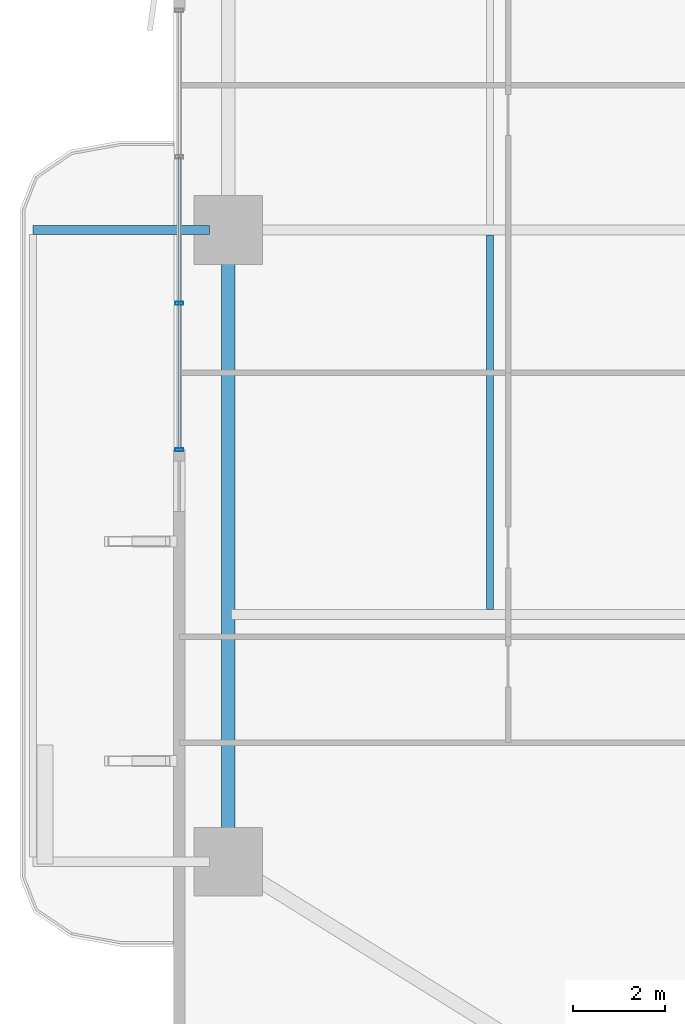
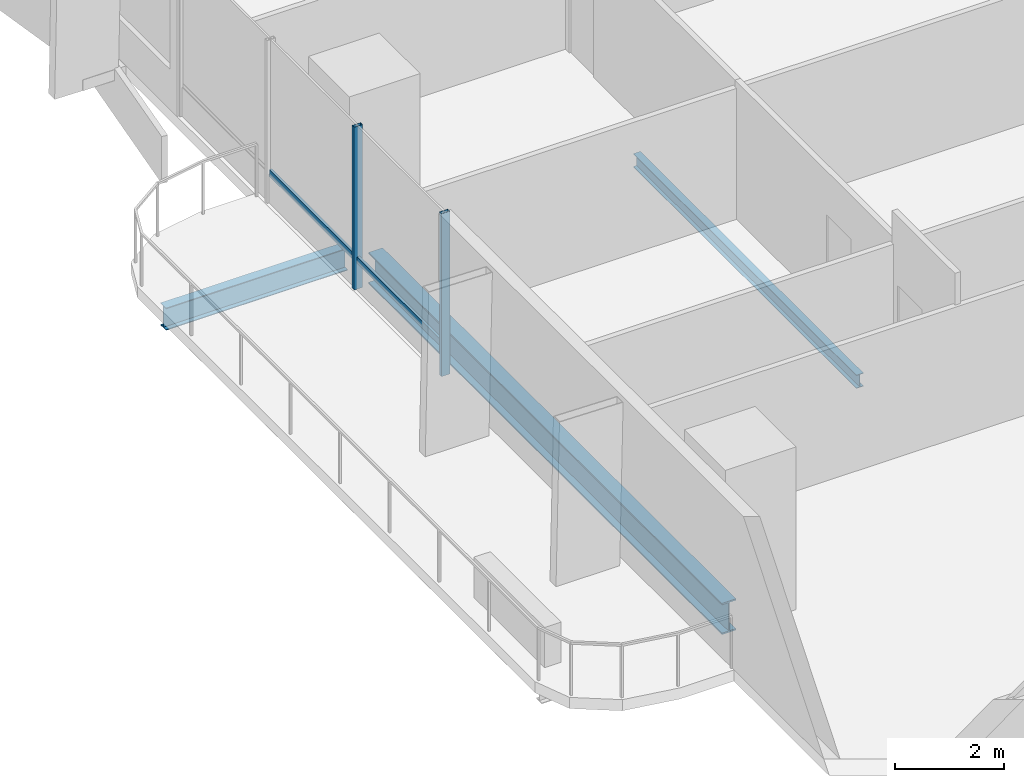
# One storey, part 4 of 24: 4 members, 3 beams, 1 element without a shape of its own.
"""IFC4 building model written with IfcOpenShell, lengths in metres."""

from ifc_helpers import new_model, si_unit, direction, frame, origin, origin_2d, place, context, subcontext, project, spatial, hollow_rectangle, i_section, extrude, material, layer, layer_set, material_profile, profile_set, type_object, element, aggregate, save


model = new_model("IFC4")

# Units and contexts
model_context = context("Model", 3, precision=1e-05, world=origin(), true_north=direction((0.0, 1.0)))
body_context = subcontext(model_context, "Body", "Model", "MODEL_VIEW")
ifc_project = project(units=[si_unit("LENGTHUNIT", "METRE"), si_unit("AREAUNIT", "SQUARE_METRE"), si_unit("VOLUMEUNIT", "CUBIC_METRE"), si_unit("PLANEANGLEUNIT", "RADIAN"), si_unit("MASSUNIT", "GRAM", prefix="KILO")], contexts=[model_context])

# Site, building, storey
site_placement = place(None, origin())
site = spatial("IfcSite", under=ifc_project, at=site_placement, CompositionType="ELEMENT")
building_placement = place(site_placement, origin())
building = spatial("IfcBuilding", under=site, at=building_placement, Name="Belovzor Exchange Tower", CompositionType="ELEMENT")
storey_placement = place(building_placement, frame((0.0, 0.0, 80.699951171875)))
storey = spatial("IfcBuildingStorey", under=building, at=storey_placement, Name="L19", CompositionType="ELEMENT", Elevation=80.699951171875)

# Beams
ifc_material_1 = material(Name="Steel S355", Category="steel")
ifc_material_profile_1 = material_profile(ifc_material_1, i_section(OverallWidth=0.199951171875, OverallDepth=0.5, WebThickness=0.01025390625, FlangeThickness=0.01611328125, at=origin_2d()))
ifc_profile_set_1 = profile_set([ifc_material_profile_1], Name="Steel S355")
beam_type_1 = type_object("IfcBeamType", Name="Planted Balcony Cantilever Beam IPE 500", PredefinedType="BEAM", material=ifc_profile_set_1)
beam_1_placement = place(storey_placement, frame((1.68798828125, 28.800048828125, -0.5), z_axis=(-1.0, 0.0, 0.0), x_axis=(0.0, -1.0, 0.0)))
element("IfcBeam", 1, at=beam_1_placement, inside=storey, type_object=beam_type_1, Name="BC-500 Planted Balcony Cantilever Beam IPE 500", PredefinedType="BEAM", context=body_context, shape_type="SweptSolid", body=[
    extrude(i_section(OverallWidth=0.199951171875, OverallDepth=0.5, WebThickness=0.01025390625, FlangeThickness=0.01611328125, at=origin_2d()), origin(), (0.0, 0.0, 1.0), 3.85009765625),
])
ifc_material_2 = material(Name="Steel S355", Category="steel")
ifc_material_profile_2 = material_profile(ifc_material_2, i_section(OverallWidth=0.14990234375, OverallDepth=0.300048828125, WebThickness=0.007080078125, FlangeThickness=0.0107421875, at=origin_2d()))
ifc_profile_set_2 = profile_set([ifc_material_profile_2], Name="Steel S355")
beam_type_2 = type_object("IfcBeamType", Name="Secondary Trim Floor Joist IPE 300", PredefinedType="BEAM", material=ifc_profile_set_2)
beam_2_placement = place(storey_placement, frame((7.81494140625, 20.5048828125, -0.39990234375), z_axis=(0.0, 1.0, 0.0), x_axis=(-1.0, 0.0, 0.0)))
element("IfcBeam", 2, at=beam_2_placement, inside=storey, type_object=beam_type_2, Name="FJ-300 Secondary Trim Floor Joist IPE 300", PredefinedType="BEAM", context=body_context, shape_type="SweptSolid", body=[
    extrude(i_section(OverallWidth=0.14990234375, OverallDepth=0.300048828125, WebThickness=0.007080078125, FlangeThickness=0.0107421875, at=origin_2d()), origin(), (0.0, 0.0, 1.0), 8.190185546875),
])

# Curtain wall, members
ifc_material_3 = material(Name="Anodised Aluminium Framing", Category="aluminium")
ifc_layer = layer(ifc_material_3, 0.179931640625)
ifc_layer_set = layer_set([ifc_layer], Name="Anodised Aluminium Framing")
curtain_wall_type = type_object("IfcCurtainWallType", Name="Recessed Loggia Low-Iron Triple-Glazed Curtain Wall", PredefinedType="NOTDEFINED", material=ifc_layer_set)
curtain_wall_placement = place(storey_placement, origin())
curtain_wall = element("IfcCurtainWall", 3, at=curtain_wall_placement, inside=storey, type_object=curtain_wall_type, Name="CW3 Recessed Loggia Low-Iron Triple-Glazed Curtain Wall L19", PredefinedType="NOTDEFINED")
ifc_material_4 = material(Name="Steel S355", Category="steel")
ifc_material_profile_3 = material_profile(ifc_material_4, hollow_rectangle(XDim=0.074951171875, YDim=0.179931640625, WallThickness=0.0048828125, at=origin_2d()))
ifc_profile_set_3 = profile_set([ifc_material_profile_3], Name="Steel S355")
member_type_1 = type_object("IfcMemberType", Name="Thermally Broken Curtain Wall Mullion 180x75", PredefinedType="MULLION", material=ifc_profile_set_3)
member_1_placement = place(storey_placement, frame((1.030029296875, 24.0, 0.0), z_axis=(0.0, 0.0, 1.0), x_axis=(0.0, 1.0, 0.0)))
member_1 = element("IfcMember", 4, at=member_1_placement, type_object=member_type_1, Name="CW-M180 Curtain Wall Mullion 1", PredefinedType="MULLION", context=body_context, shape_type="SweptSolid", body=[
    extrude(hollow_rectangle(XDim=0.074951171875, YDim=0.179931640625, WallThickness=0.0048828125, at=origin_2d()), origin(), (0.0, 0.0, 1.0), 3.650146484375),
])
member_2_placement = place(storey_placement, frame((1.030029296875, 27.199951171875, 0.0), z_axis=(0.0, 0.0, 1.0), x_axis=(0.0, 1.0, 0.0)))
member_2 = element("IfcMember", 5, at=member_2_placement, type_object=member_type_1, Name="CW-M180 Curtain Wall Mullion 2", PredefinedType="MULLION", context=body_context, shape_type="SweptSolid", body=[
    extrude(hollow_rectangle(XDim=0.074951171875, YDim=0.179931640625, WallThickness=0.0048828125, at=origin_2d()), origin(), (0.0, 0.0, 1.0), 3.650146484375),
])
ifc_material_5 = material(Name="Steel S355", Category="steel")
ifc_material_profile_4 = material_profile(ifc_material_5, hollow_rectangle(XDim=0.06005859375, YDim=0.14990234375, WallThickness=0.00390625, at=origin_2d()))
ifc_profile_set_4 = profile_set([ifc_material_profile_4], Name="Steel S355")
member_type_2 = type_object("IfcMemberType", Name="Thermally Broken Curtain Wall Transom 150x60", PredefinedType="USERDEFINED", material=ifc_profile_set_4)
member_3_placement = place(storey_placement, frame((1.030029296875, 24.008056640625, 0.650146484375), z_axis=(0.0, 1.0, 0.0), x_axis=(-1.0, 0.0, 0.0)))
member_3 = element("IfcMember", 6, at=member_3_placement, type_object=member_type_2, Name="CW-T150 Curtain Wall Transom 1", ObjectType="TRANSOM", PredefinedType="USERDEFINED", context=body_context, shape_type="SweptSolid", body=[
    extrude(hollow_rectangle(XDim=0.06005859375, YDim=0.14990234375, WallThickness=0.00390625, at=origin_2d()), origin(), (0.0, 0.0, 1.0), 3.183837890625),
])
member_4_placement = place(storey_placement, frame((1.030029296875, 27.2080078125, 0.650146484375), z_axis=(0.0, 1.0, 0.0), x_axis=(-1.0, 0.0, 0.0)))
member_4 = element("IfcMember", 7, at=member_4_placement, type_object=member_type_2, Name="CW-T150 Curtain Wall Transom 2", ObjectType="TRANSOM", PredefinedType="USERDEFINED", context=body_context, shape_type="SweptSolid", body=[
    extrude(hollow_rectangle(XDim=0.06005859375, YDim=0.14990234375, WallThickness=0.00390625, at=origin_2d()), origin(), (0.0, 0.0, 1.0), 3.18408203125),
])
aggregate(curtain_wall, [member_1, member_2, member_3, member_4])

# Beam
ifc_material_6 = material(Name="Steel S355", Category="steel")
ifc_material_profile_5 = material_profile(ifc_material_6, i_section(OverallWidth=0.300048828125, OverallDepth=0.699951171875, WebThickness=0.01708984375, FlangeThickness=0.031982421875, at=origin_2d()))
ifc_profile_set_5 = profile_set([ifc_material_profile_5], Name="Steel S355")
beam_type_3 = type_object("IfcBeamType", Name="Zone 1 Primary Perimeter Girder HEB 700", PredefinedType="BEAM", material=ifc_profile_set_5)
beam_3_placement = place(storey_placement, frame((2.10009765625, 28.386962890625, -0.599853515625), z_axis=(0.0, -1.0, 0.0), x_axis=(1.0, 0.0, 0.0)))
element("IfcBeam", 8, at=beam_3_placement, inside=storey, type_object=beam_type_3, Name="FG-Z1 Zone 1 Primary Perimeter Girder HEB 700", PredefinedType="BEAM", context=body_context, shape_type="SweptSolid", body=[
    extrude(i_section(OverallWidth=0.300048828125, OverallDepth=0.699951171875, WebThickness=0.01708984375, FlangeThickness=0.031982421875, at=origin_2d()), origin(), (0.0, 0.0, 1.0), 12.974853515625),
])

save(model, "model.ifc")
